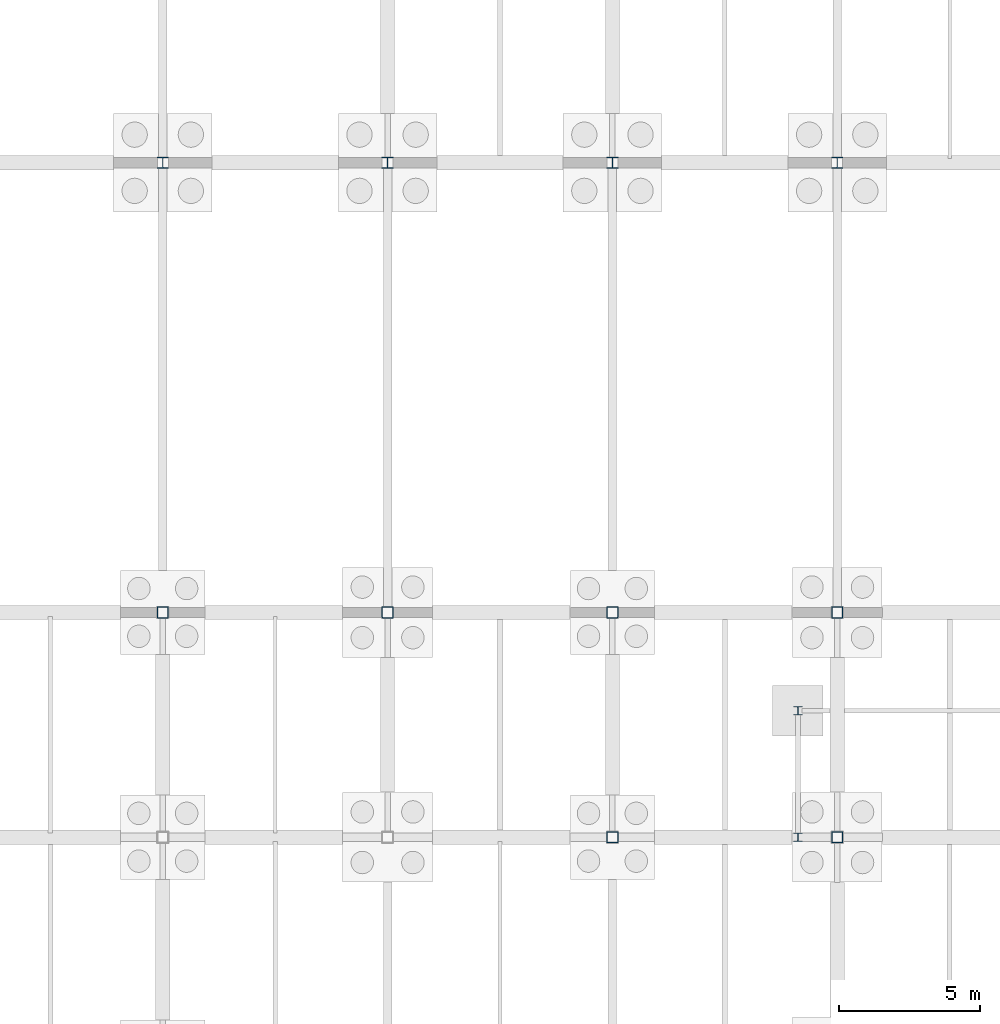
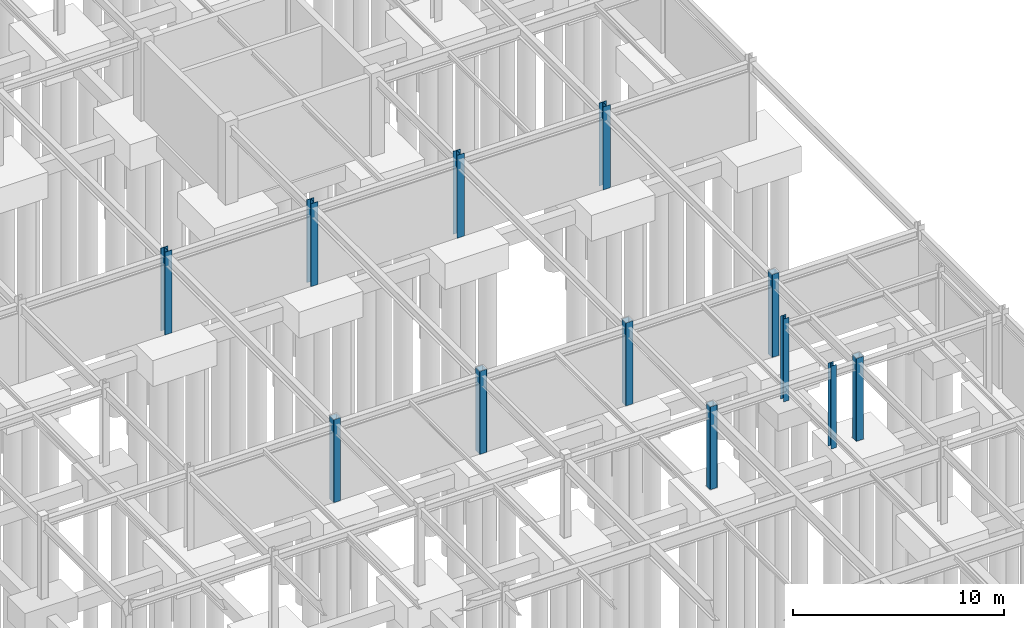
# One storey, part 29 of 72: 12 columns.
"""IFC4 building model written with IfcOpenShell, lengths in metres."""

from ifc_helpers import new_model, si_unit, direction, frame, origin, origin_2d, place, context, subcontext, project, spatial, hollow_rectangle, i_section, extrude, material, material_profile, profile_set, type_object, element, save


model = new_model("IFC4")

# Units and contexts
model_context = context("Model", 3, precision=1e-05, world=origin(), true_north=direction((0.0, 1.0)))
body_context = subcontext(model_context, "Body", "Model", "MODEL_VIEW")
ifc_project = project(units=[si_unit("LENGTHUNIT", "METRE"), si_unit("AREAUNIT", "SQUARE_METRE"), si_unit("VOLUMEUNIT", "CUBIC_METRE"), si_unit("PLANEANGLEUNIT", "RADIAN"), si_unit("MASSUNIT", "GRAM", prefix="KILO")], contexts=[model_context])

# Site, building, storey
site_placement = place(None, origin())
site = spatial("IfcSite", under=ifc_project, at=site_placement, CompositionType="ELEMENT")
building_placement = place(site_placement, origin())
building = spatial("IfcBuilding", under=site, at=building_placement, Name="Zhaolan Boulevard Law Courts", CompositionType="ELEMENT")
storey_placement = place(building_placement, frame((0.0, 0.0, -4.800048828125)))
storey = spatial("IfcBuildingStorey", under=building, at=storey_placement, Name="B1", CompositionType="ELEMENT", Elevation=-4.800048828125)

# Columns
ifc_material_1 = material(Name="Structural steel Q355B", Category="steel")
ifc_material_profile_1 = material_profile(ifc_material_1, hollow_rectangle(XDim=0.39990234375, YDim=0.39990234375, WallThickness=0.01611328125, InnerFilletRadius=0.01611328125, OuterFilletRadius=0.031982421875, at=origin_2d()), Name="BOX400x400x16")
ifc_profile_set_1 = profile_set([ifc_material_profile_1], Name="Structural steel Q355B")
column_type_1 = type_object("IfcColumnType", Name="COL BOX400", PredefinedType="COLUMN", material=ifc_profile_set_1)
for number, where, z_axis, x_axis, name in (
    (1, (132.0, 46.0, 0.0), (0.0, 0.0, 1.0), (1.0, 0.0, 0.0), "Column C-17G (B1)"),
    (2, (140.0, 46.0, 0.0), (0.0, 0.0, 1.0), (1.0, 0.0, 0.0), "Column C-18G (B1)"),
    (3, (148.0, 38.0, 0.0), (0.0, 0.0, 1.0), (1.0, 0.0, 0.0), "Column C-19F (B1)"),
    (4, (148.0, 46.0, 0.0), (0.0, 0.0, 1.0), (1.0, 0.0, 0.0), "Column C-19G (B1)"),
    (5, (156.0, 38.0, 0.0), (0.0, 0.0, 1.0), (1.0, 0.0, 0.0), "Column C-20F (B1)"),
    (6, (156.0, 46.0, 0.0), (0.0, 0.0, 1.0), (1.0, 0.0, 0.0), "Column C-20G (B1)"),
):
    element("IfcColumn", number, at=place(storey_placement, frame(where, z_axis=z_axis, x_axis=x_axis)), inside=storey, type_object=column_type_1, Name=name, PredefinedType="COLUMN", context=body_context, shape_type="SweptSolid", body=[
        extrude(hollow_rectangle(XDim=0.39990234375, YDim=0.39990234375, WallThickness=0.01611328125, InnerFilletRadius=0.01611328125, OuterFilletRadius=0.031982421875, at=origin_2d()), origin(), (0.0, 0.0, 1.0), 4.800048828125),
    ])
ifc_material_2 = material(Name="Structural steel Q355B", Category="steel")
ifc_material_profile_2 = material_profile(ifc_material_2, i_section(OverallWidth=0.300048828125, OverallDepth=0.300048828125, WebThickness=0.010009765625, FlangeThickness=0.014892578125, FilletRadius=0.01806640625, at=origin_2d()), Name="HW300x300")
ifc_profile_set_2 = profile_set([ifc_material_profile_2], Name="Structural steel Q355B")
column_type_2 = type_object("IfcColumnType", Name="COL HW300", PredefinedType="COLUMN", material=ifc_profile_set_2)
for number, where, z_axis, x_axis, name in (
    (7, (154.60009765625, 38.0, 0.0), (0.0, 0.0, 1.0), (1.0, 0.0, 0.0), "Stairwell Substructure Column CS-ST07-1"),
    (8, (154.60009765625, 42.5, 0.0), (0.0, 0.0, 1.0), (1.0, 0.0, 0.0), "Stairwell Substructure Column CS-ST07-3"),
):
    element("IfcColumn", number, at=place(storey_placement, frame(where, z_axis=z_axis, x_axis=x_axis)), inside=storey, type_object=column_type_2, Name=name, PredefinedType="COLUMN", context=body_context, shape_type="SweptSolid", body=[
        extrude(i_section(OverallWidth=0.300048828125, OverallDepth=0.300048828125, WebThickness=0.010009765625, FlangeThickness=0.014892578125, FilletRadius=0.01806640625, at=origin_2d()), origin(), (0.0, 0.0, 1.0), 4.800048828125),
    ])
ifc_material_3 = material(Name="Structural steel Q390B", Category="steel")
ifc_material_profile_3 = material_profile(ifc_material_3, i_section(OverallWidth=0.39990234375, OverallDepth=0.39990234375, WebThickness=0.012939453125, FlangeThickness=0.02099609375, FilletRadius=0.02197265625, at=origin_2d()), Name="HW400x400")
ifc_profile_set_3 = profile_set([ifc_material_profile_3], Name="Structural steel Q390B")
column_type_3 = type_object("IfcColumnType", Name="COL HW400", PredefinedType="COLUMN", material=ifc_profile_set_3)
for number, where, z_axis, x_axis, name in (
    (9, (132.0, 62.0, 0.0), (0.0, 0.0, 1.0), (1.0, 0.0, 0.0), "Column C-17J (B1)"),
    (10, (140.0, 62.0, 0.0), (0.0, 0.0, 1.0), (1.0, 0.0, 0.0), "Column C-18J (B1)"),
    (11, (148.0, 62.0, 0.0), (0.0, 0.0, 1.0), (1.0, 0.0, 0.0), "Column C-19J (B1)"),
    (12, (156.0, 62.0, 0.0), (0.0, 0.0, 1.0), (1.0, 0.0, 0.0), "Column C-20J (B1)"),
):
    element("IfcColumn", number, at=place(storey_placement, frame(where, z_axis=z_axis, x_axis=x_axis)), inside=storey, type_object=column_type_3, Name=name, PredefinedType="COLUMN", context=body_context, shape_type="SweptSolid", body=[
        extrude(i_section(OverallWidth=0.39990234375, OverallDepth=0.39990234375, WebThickness=0.012939453125, FlangeThickness=0.02099609375, FilletRadius=0.02197265625, at=origin_2d()), origin(), (0.0, 0.0, 1.0), 4.800048828125),
    ])

save(model, "model.ifc")
